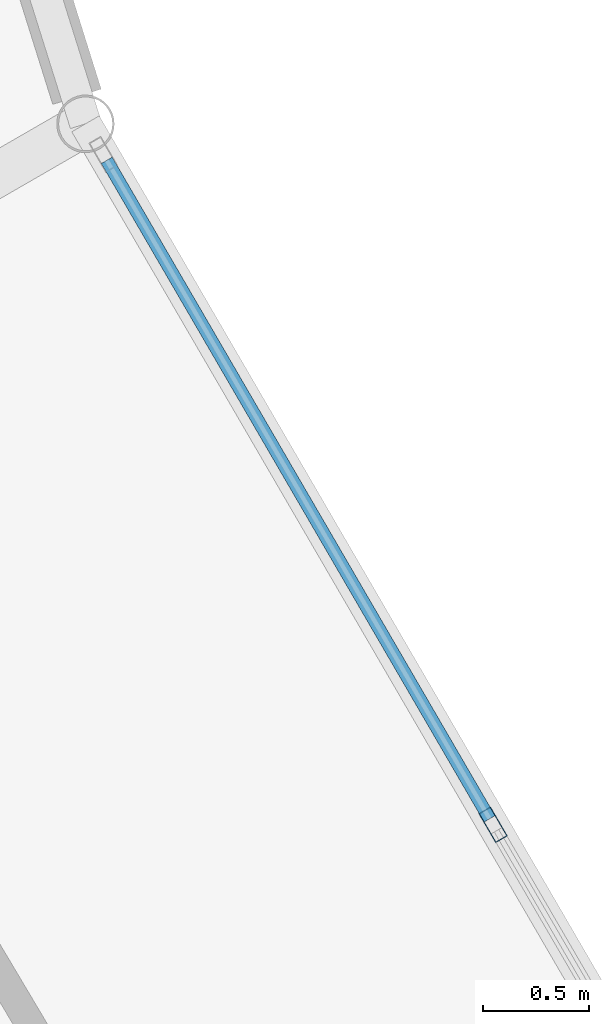
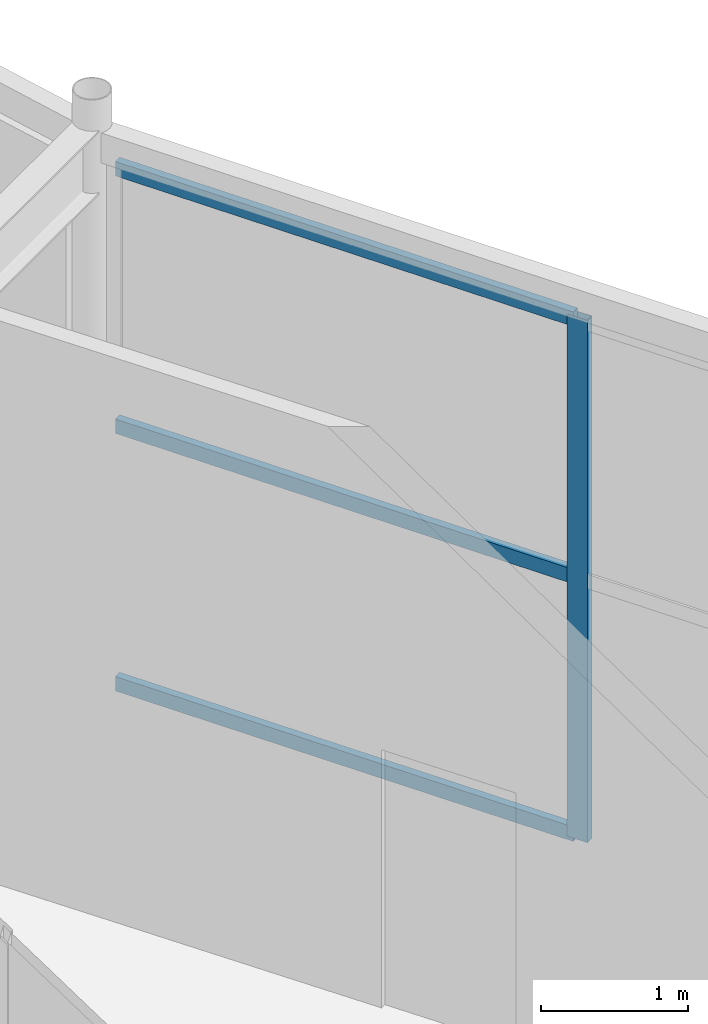
# One storey, part 28 of 144: 4 members, 1 element without a shape of its own.
"""IFC4 building model written with IfcOpenShell, lengths in metres."""

from ifc_helpers import new_model, si_unit, direction, frame, origin, origin_2d, place, context, subcontext, project, spatial, hollow_rectangle, extrude, material, material_profile, profile_set, type_object, element, aggregate, save


model = new_model("IFC4")

# Units and contexts
model_context = context("Model", 3, precision=1e-05, world=origin(), true_north=direction((0.0, 1.0)))
body_context = subcontext(model_context, "Body", "Model", "MODEL_VIEW")
ifc_project = project(units=[si_unit("LENGTHUNIT", "METRE"), si_unit("AREAUNIT", "SQUARE_METRE"), si_unit("VOLUMEUNIT", "CUBIC_METRE"), si_unit("PLANEANGLEUNIT", "RADIAN"), si_unit("MASSUNIT", "GRAM", prefix="KILO")], contexts=[model_context])

# Site, building, storey
site_placement = place(None, origin())
site = spatial("IfcSite", under=ifc_project, at=site_placement, CompositionType="ELEMENT")
building_placement = place(site_placement, origin())
building = spatial("IfcBuilding", under=site, at=building_placement, Name="Karori Crest Natural Sciences Institute", CompositionType="ELEMENT")
storey_placement = place(building_placement, origin())
storey = spatial("IfcBuildingStorey", under=building, at=storey_placement, Name="L00", CompositionType="ELEMENT", Elevation=0.0)

# Curtain wall, members
ifc_material = material(Name="Anodised architectural aluminium 6063-T6", Category="aluminium")
curtain_wall_type = type_object("IfcCurtainWallType", Name="CWT-15", PredefinedType="NOTDEFINED", material=ifc_material)
curtain_wall_placement = place(storey_placement, origin())
curtain_wall = element("IfcCurtainWall", 1, at=curtain_wall_placement, inside=storey, type_object=curtain_wall_type, Name="Curtain wall CW-0019", PredefinedType="NOTDEFINED")
ifc_material_profile_1 = material_profile(ifc_material, hollow_rectangle(XDim=0.06494140625, YDim=0.159912109375, WallThickness=0.00390625, at=origin_2d()), Name="CWM160x65x4")
ifc_profile_set_1 = profile_set([ifc_material_profile_1], Name="Anodised architectural aluminium 6063-T6")
member_type_1 = type_object("IfcMemberType", Name="CWM-01", PredefinedType="MULLION", material=ifc_profile_set_1)
member_1_placement = place(storey_placement, frame((47.1962890625, 30.4853515625, 0.0), z_axis=(0.0, 0.0, 1.0), x_axis=(0.864484379326, 0.502659683982, 0.0)))
member_1 = element("IfcMember", 2, at=member_1_placement, type_object=member_type_1, Name="CW-0019 mullion 2", PredefinedType="MULLION", context=body_context, shape_type="SweptSolid", body=[
    extrude(hollow_rectangle(XDim=0.06494140625, YDim=0.159912109375, WallThickness=0.00390625, at=origin_2d()), origin(), (0.0, 0.0, 1.0), 4.35009765625),
])
ifc_material_profile_2 = material_profile(ifc_material, hollow_rectangle(XDim=0.06005859375, YDim=0.1201171875, WallThickness=0.00390625, at=origin_2d()), Name="CWT120x60x4")
ifc_profile_set_2 = profile_set([ifc_material_profile_2], Name="Anodised architectural aluminium 6063-T6")
member_type_2 = type_object("IfcMemberType", Name="CWT-TR1", PredefinedType="USERDEFINED", material=ifc_profile_set_2)
member_2_placement = place(storey_placement, frame((45.369384765625, 33.62744140625, 0.030029296875), z_axis=(0.502635771548, -0.864498282914, 0.0), x_axis=(0.864498282914, 0.502635771548, 0.0)))
member_2 = element("IfcMember", 3, at=member_2_placement, type_object=member_type_2, Name="CW-0019 transom 1.1", ObjectType="TRANSOM", PredefinedType="USERDEFINED", context=body_context, shape_type="SweptSolid", body=[
    extrude(hollow_rectangle(XDim=0.06005859375, YDim=0.1201171875, WallThickness=0.00390625, at=origin_2d()), origin(), (0.0, 0.0, 1.0), 3.60205078125),
])
member_3_placement = place(storey_placement, frame((45.369384765625, 33.62744140625, 2.175048828125), z_axis=(0.502635771548, -0.864498282914, 0.0), x_axis=(0.864498282914, 0.502635771548, 0.0)))
member_3 = element("IfcMember", 4, at=member_3_placement, type_object=member_type_2, Name="CW-0019 transom 1.2", ObjectType="TRANSOM", PredefinedType="USERDEFINED", context=body_context, shape_type="SweptSolid", body=[
    extrude(hollow_rectangle(XDim=0.06005859375, YDim=0.1201171875, WallThickness=0.00390625, at=origin_2d()), origin(), (0.0, 0.0, 1.0), 3.60205078125),
])
member_4_placement = place(storey_placement, frame((45.369384765625, 33.62744140625, 4.320068359375), z_axis=(0.502635771548, -0.864498282914, 0.0), x_axis=(0.864498282914, 0.502635771548, 0.0)))
member_4 = element("IfcMember", 5, at=member_4_placement, type_object=member_type_2, Name="CW-0019 transom 1.3", ObjectType="TRANSOM", PredefinedType="USERDEFINED", context=body_context, shape_type="SweptSolid", body=[
    extrude(hollow_rectangle(XDim=0.06005859375, YDim=0.1201171875, WallThickness=0.00390625, at=origin_2d()), origin(), (0.0, 0.0, 1.0), 3.60205078125),
])
aggregate(curtain_wall, [member_1, member_2, member_3, member_4])

save(model, "model.ifc")
